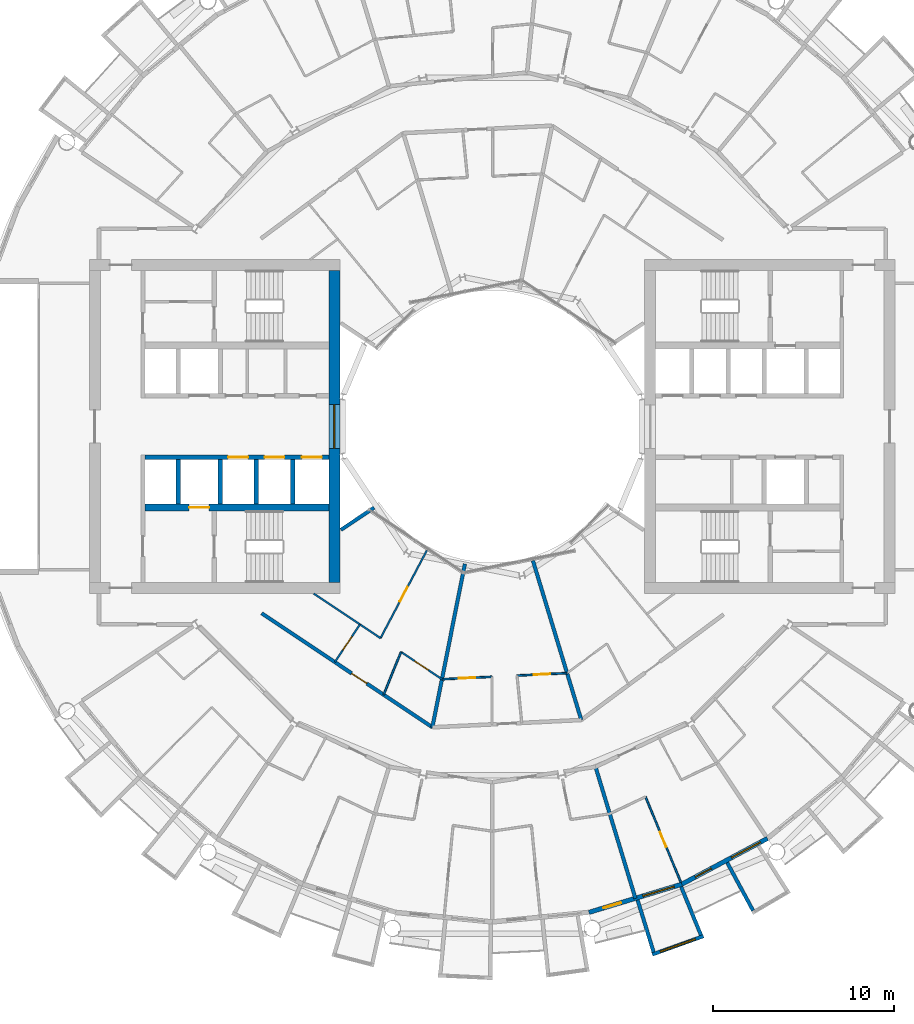
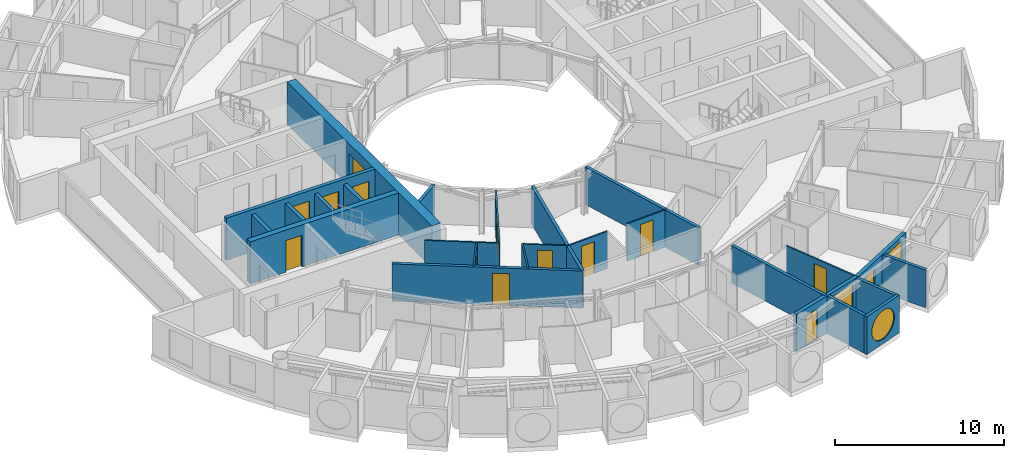
# One storey, part 16 of 27: 26 walls, 13 doors, 4 windows, 17 openings.
"""IFC4 building model written with IfcOpenShell, lengths in metres."""

from ifc_helpers import new_model, si_unit, direction, frame, frame_2d, origin, place, context, subcontext, project, spatial, rectangle, circle, extrude, material, layer, layer_set, type_object, element, fill, save


model = new_model("IFC4")

# Units and contexts
model_context = context("Model", 3, precision=1e-05, world=origin(), true_north=direction((0.0, 1.0)))
body_context = subcontext(model_context, "Body", "Model", "MODEL_VIEW")
ifc_project = project(units=[si_unit("LENGTHUNIT", "METRE"), si_unit("AREAUNIT", "SQUARE_METRE"), si_unit("VOLUMEUNIT", "CUBIC_METRE"), si_unit("PLANEANGLEUNIT", "RADIAN"), si_unit("MASSUNIT", "GRAM", prefix="KILO")], contexts=[model_context])

# Site, building, storey
site_placement = place(None, origin())
site = spatial("IfcSite", under=ifc_project, at=site_placement, CompositionType="ELEMENT")
building_placement = place(site_placement, origin())
building = spatial("IfcBuilding", under=site, at=building_placement, Name="Maasbend Ring Residences", CompositionType="ELEMENT")
storey_placement = place(building_placement, frame((0.0, 0.0, 126.89990234375)))
storey = spatial("IfcBuildingStorey", under=building, at=storey_placement, Name="L36", CompositionType="ELEMENT", Elevation=126.89990234375)

# Wall, openings, doors
ifc_material_1 = material(Name="Concrete C60/75", Category="concrete")
ifc_layer_1 = layer(ifc_material_1, 0.25)
ifc_layer_set_1 = layer_set([ifc_layer_1], Name="Concrete C60/75")
wall_type_1 = type_object("IfcWallType", Name="CORE WALL 250 C60/75", PredefinedType="SHEAR", material=ifc_layer_set_1)
wall_1_placement = place(storey_placement, frame((-9.0, -1.699951171875, 0.0), z_axis=(0.0, 0.0, 1.0), x_axis=(-1.0, 0.0, 0.0)))
wall_1 = element("IfcWall", 1, at=wall_1_placement, inside=storey, type_object=wall_type_1, Name="L36 core W wall SPN", PredefinedType="SHEAR", context=body_context, shape_type="SweptSolid", body=[
    extrude(rectangle(XDim=10.14990234375, YDim=0.25, at=frame_2d((5.074951171875, 0.0))), origin(), (0.0, 0.0, 1.0), 3.050048828125),
])
opening_1_placement = place(wall_1_placement, frame((0.387451171875, 0.0, 0.0)))
opening_1 = element("IfcOpeningElement", 2, at=opening_1_placement, cuts=wall_1, Name="Opening LD-W3601", PredefinedType="OPENING", context=body_context, shape_type="SweptSolid", body=[
    extrude(rectangle(XDim=1.10009765625, YDim=2.300048828125, at=frame_2d((0.550048828125, 1.14990234375))), frame((0.0, 0.135009765625, 0.0), z_axis=(0.0, -1.0, 0.0), x_axis=(1.0, 0.0, 0.0)), (0.0, 0.0, 1.0), 0.27001953125),
])
opening_2_placement = place(wall_1_placement, frame((2.449951171875, 0.0, 0.0)))
opening_2 = element("IfcOpeningElement", 3, at=opening_2_placement, cuts=wall_1, Name="Opening LD-W3602", PredefinedType="OPENING", context=body_context, shape_type="SweptSolid", body=[
    extrude(rectangle(XDim=1.10009765625, YDim=2.300048828125, at=frame_2d((0.550048828125, 1.14990234375))), frame((0.0, 0.135009765625, 0.0), z_axis=(0.0, -1.0, 0.0), x_axis=(1.0, 0.0, 0.0)), (0.0, 0.0, 1.0), 0.27001953125),
])
opening_3_placement = place(wall_1_placement, frame((4.449951171875, 0.0, 0.0)))
opening_3 = element("IfcOpeningElement", 4, at=opening_3_placement, cuts=wall_1, Name="Opening LD-W3603", PredefinedType="OPENING", context=body_context, shape_type="SweptSolid", body=[
    extrude(rectangle(XDim=1.10009765625, YDim=2.300048828125, at=frame_2d((0.550048828125, 1.14990234375))), frame((0.0, 0.135009765625, 0.0), z_axis=(0.0, -1.0, 0.0), x_axis=(1.0, 0.0, 0.0)), (0.0, 0.0, 1.0), 0.27001953125),
])
ifc_material_2 = material(Name="Stainless steel 316", Category="steel")
door_type_1 = type_object("IfcDoorType", Name="LANDING DOOR 1100 X 2300 FD60", OperationType="DOUBLE_DOOR_SLIDING", PredefinedType="DOOR", material=ifc_material_2)
door_1_placement = place(opening_1_placement, origin())
door_1 = element("IfcDoor", 5, at=door_1_placement, inside=storey, type_object=door_type_1, Name="Landing door LR-W1 L36", OperationType="DOUBLE_DOOR_SLIDING", OverallHeight=2.300048828125, OverallWidth=1.10009765625, PredefinedType="DOOR", context=body_context, shape_type="SweptSolid", body=[
    extrude(rectangle(XDim=1.10009765625, YDim=2.300048828125, at=frame_2d((0.550048828125, 1.14990234375))), frame((0.0, 0.02490234375, 0.0), z_axis=(0.0, -1.0, 0.0), x_axis=(1.0, 0.0, 0.0)), (0.0, 0.0, 1.0), 0.050048828125),
])
fill(opening_1, door_1)
door_2_placement = place(opening_2_placement, origin())
door_2 = element("IfcDoor", 6, at=door_2_placement, inside=storey, type_object=door_type_1, Name="Landing door LR-W2 L36", OperationType="DOUBLE_DOOR_SLIDING", OverallHeight=2.300048828125, OverallWidth=1.10009765625, PredefinedType="DOOR", context=body_context, shape_type="SweptSolid", body=[
    extrude(rectangle(XDim=1.10009765625, YDim=2.300048828125, at=frame_2d((0.550048828125, 1.14990234375))), frame((0.0, 0.02490234375, 0.0), z_axis=(0.0, -1.0, 0.0), x_axis=(1.0, 0.0, 0.0)), (0.0, 0.0, 1.0), 0.050048828125),
])
fill(opening_2, door_2)
door_3_placement = place(opening_3_placement, origin())
door_3 = element("IfcDoor", 7, at=door_3_placement, inside=storey, type_object=door_type_1, Name="Landing door LR-W3 L36", OperationType="DOUBLE_DOOR_SLIDING", OverallHeight=2.300048828125, OverallWidth=1.10009765625, PredefinedType="DOOR", context=body_context, shape_type="SweptSolid", body=[
    extrude(rectangle(XDim=1.10009765625, YDim=2.300048828125, at=frame_2d((0.550048828125, 1.14990234375))), frame((0.0, 0.02490234375, 0.0), z_axis=(0.0, -1.0, 0.0), x_axis=(1.0, 0.0, 0.0)), (0.0, 0.0, 1.0), 0.050048828125),
])
fill(opening_3, door_3)

# Wall, opening, door
ifc_material_3 = material(Name="Concrete C60/75", Category="concrete")
ifc_layer_2 = layer(ifc_material_3, 0.375)
ifc_layer_set_2 = layer_set([ifc_layer_2], Name="Concrete C60/75")
wall_type_2 = type_object("IfcWallType", Name="CORE WALL 375 C60/75", PredefinedType="SHEAR", material=ifc_layer_set_2)
wall_2_placement = place(storey_placement, frame((-9.0, -4.46240234375, 0.0), z_axis=(0.0, 0.0, 1.0), x_axis=(-1.0, 0.0, 0.0)))
wall_2 = element("IfcWall", 8, at=wall_2_placement, inside=storey, type_object=wall_type_2, Name="L36 core W wall BN", PredefinedType="SHEAR", context=body_context, shape_type="SweptSolid", body=[
    extrude(rectangle(XDim=10.14990234375, YDim=0.375, at=frame_2d((5.074951171875, 0.0))), origin(), (0.0, 0.0, 1.0), 3.050048828125),
])
opening_4_placement = place(wall_2_placement, frame((6.60009765625, 0.0, 0.0)))
opening_4 = element("IfcOpeningElement", 9, at=opening_4_placement, cuts=wall_2, Name="Opening LD-W3604", PredefinedType="OPENING", context=body_context, shape_type="SweptSolid", body=[
    extrude(rectangle(XDim=1.10009765625, YDim=2.300048828125, at=frame_2d((0.550048828125, 1.14990234375))), frame((0.0, 0.197509765625, 0.0), z_axis=(0.0, -1.0, 0.0), x_axis=(1.0, 0.0, 0.0)), (0.0, 0.0, 1.0), 0.39501953125),
])
door_4_placement = place(opening_4_placement, origin())
door_4 = element("IfcDoor", 10, at=door_4_placement, inside=storey, type_object=door_type_1, Name="Landing door FF-W L36", OperationType="DOUBLE_DOOR_SLIDING", OverallHeight=2.300048828125, OverallWidth=1.10009765625, PredefinedType="DOOR", context=body_context, shape_type="SweptSolid", body=[
    extrude(rectangle(XDim=1.10009765625, YDim=2.300048828125, at=frame_2d((0.550048828125, 1.14990234375))), frame((0.0, 0.02490234375, 0.0), z_axis=(0.0, -1.0, 0.0), x_axis=(1.0, 0.0, 0.0)), (0.0, 0.0, 1.0), 0.050048828125),
])
fill(opening_4, door_4)

# Wall, opening, window
ifc_material_4 = material(Name="Concrete C60/75", Category="concrete")
ifc_layer_3 = layer(ifc_material_4, 0.60009765625)
ifc_layer_set_3 = layer_set([ifc_layer_3], Name="Concrete C60/75")
wall_type_3 = type_object("IfcWallType", Name="CORE WALL 600 C60/75", PredefinedType="SHEAR", material=ifc_layer_set_3)
wall_3_placement = place(storey_placement, frame((-8.699951171875, 8.60009765625, 0.0), z_axis=(0.0, 0.0, 1.0), x_axis=(0.0, -1.0, 0.0)))
wall_3 = element("IfcWall", 11, at=wall_3_placement, inside=storey, type_object=wall_type_3, Name="L36 core W wall PIN", PredefinedType="SHEAR", context=body_context, shape_type="SweptSolid", body=[
    extrude(rectangle(XDim=17.2001953125, YDim=0.60009765625, at=frame_2d((8.60009765625, 0.0))), origin(), (0.0, 0.0, 1.0), 3.050048828125),
])
opening_5_placement = place(wall_3_placement, frame((7.39990234375, 0.0, 0.10009765625)))
opening_5 = element("IfcOpeningElement", 12, at=opening_5_placement, cuts=wall_3, Name="Opening W-W3601", PredefinedType="OPENING", context=body_context, shape_type="SweptSolid", body=[
    extrude(rectangle(XDim=2.39990234375, YDim=2.199951171875, at=frame_2d((1.199951171875, 1.10009765625))), frame((0.0, 0.31005859375, 0.0), z_axis=(0.0, -1.0, 0.0), x_axis=(1.0, 0.0, 0.0)), (0.0, 0.0, 1.0), 0.6201171875),
])
ifc_material_5 = material(Name="Aluminium frame and clear glass", Category="aluminium")
window_type_1 = type_object("IfcWindowType", Name="FIXED WINDOW 2400 X 2200", PartitioningType="SINGLE_PANEL", PredefinedType="WINDOW", material=ifc_material_5)
window_1_placement = place(opening_5_placement, origin())
window_1 = element("IfcWindow", 13, at=window_1_placement, inside=storey, type_object=window_type_1, Name="Lobby window L36", OverallHeight=2.199951171875, OverallWidth=2.39990234375, PartitioningType="SINGLE_PANEL", PredefinedType="WINDOW", context=body_context, shape_type="SweptSolid", body=[
    extrude(rectangle(XDim=2.39990234375, YDim=2.199951171875, at=frame_2d((1.199951171875, 1.10009765625))), frame((0.0, 0.030029296875, 0.0), z_axis=(0.0, -1.0, 0.0), x_axis=(1.0, 0.0, 0.0)), (0.0, 0.0, 1.0), 0.06005859375),
])
fill(opening_5, window_1)

# Wall, opening, door
ifc_material_6 = material(Name="Concrete C30/37", Category="concrete")
ifc_layer_4 = layer(ifc_material_6, 0.199951171875)
ifc_layer_set_4 = layer_set([ifc_layer_4], Name="Concrete C30/37")
wall_type_4 = type_object("IfcWallType", Name="CORRIDOR WALL 200 CONCRETE", PredefinedType="PARTITIONING", material=ifc_layer_set_4)
wall_4_placement = place(storey_placement, frame((-12.7060546875, -10.291015625, 0.0), z_axis=(0.0, 0.0, 1.0), x_axis=(0.831588572532, -0.555392155178, 0.0)))
wall_4 = element("IfcWall", 14, at=wall_4_placement, inside=storey, type_object=wall_type_4, Name="U-L36-w025", PredefinedType="PARTITIONING", context=body_context, shape_type="SweptSolid", body=[
    extrude(rectangle(XDim=11.314453125, YDim=0.199951171875, at=frame_2d((5.6572265625, 0.0))), origin(), (0.0, 0.0, 1.0), 2.7001953125),
])
opening_6_placement = place(wall_4_placement, frame((5.966064453125, 0.0, 0.0)))
opening_6 = element("IfcOpeningElement", 15, at=opening_6_placement, cuts=wall_4, Name="Opening D-3652", PredefinedType="OPENING", context=body_context, shape_type="SweptSolid", body=[
    extrude(rectangle(XDim=1.0, YDim=2.300048828125, at=frame_2d((0.5, 1.14990234375))), frame((0.0, 0.10986328125, 0.0), z_axis=(0.0, -1.0, 0.0), x_axis=(1.0, 0.0, 0.0)), (0.0, 0.0, 1.0), 0.219970703125),
])
ifc_material_7 = material(Name="Timber, fire-rated, painted", Category="wood")
door_type_2 = type_object("IfcDoorType", Name="FLAT ENTRANCE DOOR 1000 X 2300 FIRE-RATED", OperationType="NOTDEFINED", PredefinedType="DOOR", material=ifc_material_7)
door_5_placement = place(opening_6_placement, origin())
door_5 = element("IfcDoor", 16, at=door_5_placement, inside=storey, type_object=door_type_2, Name="D-3652", OperationType="SINGLE_SWING_RIGHT", OverallHeight=2.300048828125, OverallWidth=1.0, PredefinedType="DOOR", context=body_context, shape_type="SweptSolid", body=[
    extrude(rectangle(XDim=1.0, YDim=2.300048828125, at=frame_2d((0.5, 1.14990234375))), frame((0.0, 0.02490234375, 0.0), z_axis=(0.0, -1.0, 0.0), x_axis=(1.0, 0.0, 0.0)), (0.0, 0.0, 1.0), 0.050048828125),
])
fill(opening_6, door_5)

# Wall, opening, window
ifc_material_8 = material(Name="Pale anodised aluminium panel", Category="aluminium")
ifc_layer_5 = layer(ifc_material_8, 0.199951171875)
ifc_layer_set_5 = layer_set([ifc_layer_5], Name="EW-BOX")
wall_type_5 = type_object("IfcWallType", Name="EW-BOX", PredefinedType="SOLIDWALL", material=ifc_layer_set_5)
wall_5_placement = place(storey_placement, frame((8.820068359375, -29.093017578125, -0.02978515625), z_axis=(0.0, 0.0, 1.0), x_axis=(0.941461077774, 0.337121697664, 0.0)))
wall_5 = element("IfcWall", 17, at=wall_5_placement, inside=storey, type_object=wall_type_5, Name="Box front S14", PredefinedType="SOLIDWALL", context=body_context, shape_type="SweptSolid", body=[
    extrude(rectangle(XDim=2.9931640625, YDim=0.199951171875, at=frame_2d((1.49658203125, 0.0))), origin(), (0.0, 0.0, 1.0), 2.72998046875),
])
opening_7_placement = place(wall_5_placement, frame((0.45654296875, 0.0, 0.330078125)))
opening_7 = element("IfcOpeningElement", 18, at=opening_7_placement, cuts=wall_5, Name="Opening W-RD", PredefinedType="OPENING", context=body_context, shape_type="SweptSolid", body=[
    extrude(circle(Radius=1.0400390625, at=frame_2d((1.0400390625, 1.0400390625))), frame((0.0, 0.10986328125, 0.0), z_axis=(0.0, -1.0, 0.0), x_axis=(1.0, 0.0, 0.0)), (0.0, 0.0, 1.0), 0.219970703125),
])
ifc_material_9 = material(Name="Aluminium and clear glass", Category="aluminium")
window_type_2 = type_object("IfcWindowType", Name="W-RD", PartitioningType="SINGLE_PANEL", PredefinedType="WINDOW", material=ifc_material_9)
window_2_placement = place(opening_7_placement, origin())
window_2 = element("IfcWindow", 19, at=window_2_placement, inside=storey, type_object=window_type_2, Name="Round window S14", OverallHeight=2.080078125, OverallWidth=2.080078125, PartitioningType="SINGLE_PANEL", PredefinedType="WINDOW", context=body_context, shape_type="SweptSolid", body=[
    extrude(circle(Radius=1.0400390625, at=frame_2d((1.0400390625, 1.0400390625))), frame((0.0, 0.030029296875, 0.0), z_axis=(0.0, -1.0, 0.0), x_axis=(1.0, 0.0, 0.0)), (0.0, 0.0, 1.0), 0.06005859375),
])
fill(opening_7, window_2)

# Walls
wall_6_placement = place(storey_placement, frame((8.009033203125, -26.092041015625, -0.02978515625), z_axis=(0.0, 0.0, 1.0), x_axis=(0.293406695073, -0.955987715029, 0.0)))
element("IfcWall", 20, at=wall_6_placement, inside=storey, type_object=wall_type_5, Name="Box side wall S14 left", PredefinedType="SOLIDWALL", context=body_context, shape_type="SweptSolid", body=[
    extrude(rectangle(XDim=3.00634765625, YDim=0.199951171875, at=frame_2d((1.503173828125, 0.0))), origin(), (0.0, 0.0, 1.0), 2.72998046875),
])
wall_7_placement = place(storey_placement, frame((10.408935546875, -25.364013671875, -0.02978515625), z_axis=(0.0, 0.0, 1.0), x_axis=(0.379509886562, -0.925187681501, 0.0)))
element("IfcWall", 21, at=wall_7_placement, inside=storey, type_object=wall_type_5, Name="Box side wall S14 right", PredefinedType="SOLIDWALL", context=body_context, shape_type="SweptSolid", body=[
    extrude(rectangle(XDim=2.882568359375, YDim=0.199951171875, at=frame_2d((1.44140625, 0.0))), origin(), (0.0, 0.0, 1.0), 2.72998046875),
])
wall_8_placement = place(storey_placement, frame((12.945068359375, -24.029052734375, -0.02978515625), z_axis=(0.0, 0.0, 1.0), x_axis=(0.474424310775, -0.88029629861, 0.0)))
element("IfcWall", 22, at=wall_8_placement, inside=storey, type_object=wall_type_5, Name="Box side wall S16 left", PredefinedType="SOLIDWALL", context=body_context, shape_type="SweptSolid", body=[
    extrude(rectangle(XDim=3.005859375, YDim=0.199951171875, at=frame_2d((1.5029296875, 0.0))), origin(), (0.0, 0.0, 1.0), 2.72998046875),
])

# Wall, openings, door, window
ifc_material_10 = material(Name="Aluminium clad insulated panel", Category="aluminium")
ifc_layer_6 = layer(ifc_material_10, 0.25)
ifc_layer_set_6 = layer_set([ifc_layer_6], Name="EW-GL")
wall_type_6 = type_object("IfcWallType", Name="EW-GL", PredefinedType="SOLIDWALL", material=ifc_layer_set_6)
wall_9_placement = place(storey_placement, frame((5.325927734375, -26.77490234375, 0.0), z_axis=(0.0, 0.0, 1.0), x_axis=(0.956965678721, 0.290201119486, 0.0)))
wall_9 = element("IfcWall", 23, at=wall_9_placement, inside=storey, type_object=wall_type_6, Name="External wall S07", PredefinedType="SOLIDWALL", context=body_context, shape_type="SweptSolid", body=[
    extrude(rectangle(XDim=5.351318359375, YDim=0.25, at=frame_2d((2.67578125, 0.0))), origin(), (0.0, 0.0, 1.0), 2.7001953125),
])
opening_8_placement = place(wall_9_placement, frame((0.841064453125, 0.0, 0.0)))
opening_8 = element("IfcOpeningElement", 24, at=opening_8_placement, cuts=wall_9, Name="Opening D-LG", PredefinedType="OPENING", context=body_context, shape_type="SweptSolid", body=[
    extrude(rectangle(XDim=1.0, YDim=2.199951171875, at=frame_2d((0.5, 1.10009765625))), frame((0.0, 0.135009765625, 0.0), z_axis=(0.0, -1.0, 0.0), x_axis=(1.0, 0.0, 0.0)), (0.0, 0.0, 1.0), 0.27001953125),
])
opening_9_placement = place(wall_9_placement, frame((3.110595703125, 0.0, 0.300048828125)))
opening_9 = element("IfcOpeningElement", 25, at=opening_9_placement, cuts=wall_9, Name="Opening W-BX", PredefinedType="OPENING", context=body_context, shape_type="SweptSolid", body=[
    extrude(rectangle(XDim=1.800048828125, YDim=2.10009765625, at=frame_2d((0.89990234375, 1.050048828125))), frame((0.0, 0.135009765625, 0.0), z_axis=(0.0, -1.0, 0.0), x_axis=(1.0, 0.0, 0.0)), (0.0, 0.0, 1.0), 0.27001953125),
])
ifc_material_11 = material(Name="Aluminium and clear glass", Category="aluminium")
door_type_3 = type_object("IfcDoorType", Name="D-LG", OperationType="SINGLE_SWING_LEFT", PredefinedType="DOOR", material=ifc_material_11)
door_6_placement = place(opening_8_placement, origin())
door_6 = element("IfcDoor", 26, at=door_6_placement, inside=storey, type_object=door_type_3, Name="Loggia door S13", OperationType="SINGLE_SWING_LEFT", OverallHeight=2.199951171875, OverallWidth=1.0, PredefinedType="DOOR", context=body_context, shape_type="SweptSolid", body=[
    extrude(rectangle(XDim=1.0, YDim=2.199951171875, at=frame_2d((0.5, 1.10009765625))), frame((0.0, 0.02490234375, 0.0), z_axis=(0.0, -1.0, 0.0), x_axis=(1.0, 0.0, 0.0)), (0.0, 0.0, 1.0), 0.050048828125),
])
fill(opening_8, door_6)
ifc_material_12 = material(Name="Aluminium and clear glass", Category="aluminium")
window_type_3 = type_object("IfcWindowType", Name="W-BX", PartitioningType="DOUBLE_PANEL_VERTICAL", PredefinedType="WINDOW", material=ifc_material_12)
window_3_placement = place(opening_9_placement, origin())
window_3 = element("IfcWindow", 27, at=window_3_placement, inside=storey, type_object=window_type_3, Name="Window S14 room to box", OverallHeight=2.10009765625, OverallWidth=1.800048828125, PartitioningType="SINGLE_PANEL", PredefinedType="WINDOW", context=body_context, shape_type="SweptSolid", body=[
    extrude(rectangle(XDim=1.800048828125, YDim=2.10009765625, at=frame_2d((0.89990234375, 1.050048828125))), frame((0.0, 0.030029296875, 0.0), z_axis=(0.0, -1.0, 0.0), x_axis=(1.0, 0.0, 0.0)), (0.0, 0.0, 1.0), 0.06005859375),
])
fill(opening_9, window_3)

wall_10_placement = place(storey_placement, frame((10.447021484375, -25.221923828125, 0.0), z_axis=(0.0, 0.0, 1.0), x_axis=(0.881915646801, 0.471407246368, 0.0)))
wall_10 = element("IfcWall", 28, at=wall_10_placement, inside=storey, type_object=wall_type_6, Name="External wall S08", PredefinedType="SOLIDWALL", context=body_context, shape_type="SweptSolid", body=[
    extrude(rectangle(XDim=5.35205078125, YDim=0.25, at=frame_2d((2.676025390625, 0.0))), origin(), (0.0, 0.0, 1.0), 2.7001953125),
])
opening_10_placement = place(wall_10_placement, frame((0.841064453125, 0.0, 0.0)))
opening_10 = element("IfcOpeningElement", 29, at=opening_10_placement, cuts=wall_10, Name="Opening D-LG", PredefinedType="OPENING", context=body_context, shape_type="SweptSolid", body=[
    extrude(rectangle(XDim=1.0, YDim=2.199951171875, at=frame_2d((0.5, 1.10009765625))), frame((0.0, 0.135009765625, 0.0), z_axis=(0.0, -1.0, 0.0), x_axis=(1.0, 0.0, 0.0)), (0.0, 0.0, 1.0), 0.27001953125),
])
opening_11_placement = place(wall_10_placement, frame((3.110595703125, 0.0, 0.300048828125)))
opening_11 = element("IfcOpeningElement", 30, at=opening_11_placement, cuts=wall_10, Name="Opening W-BX", PredefinedType="OPENING", context=body_context, shape_type="SweptSolid", body=[
    extrude(rectangle(XDim=1.800048828125, YDim=2.10009765625, at=frame_2d((0.89990234375, 1.050048828125))), frame((0.0, 0.135009765625, 0.0), z_axis=(0.0, -1.0, 0.0), x_axis=(1.0, 0.0, 0.0)), (0.0, 0.0, 1.0), 0.27001953125),
])
door_7_placement = place(opening_10_placement, origin())
door_7 = element("IfcDoor", 31, at=door_7_placement, inside=storey, type_object=door_type_3, Name="Loggia door S15", OperationType="SINGLE_SWING_LEFT", OverallHeight=2.199951171875, OverallWidth=1.0, PredefinedType="DOOR", context=body_context, shape_type="SweptSolid", body=[
    extrude(rectangle(XDim=1.0, YDim=2.199951171875, at=frame_2d((0.5, 1.10009765625))), frame((0.0, 0.02490234375, 0.0), z_axis=(0.0, -1.0, 0.0), x_axis=(1.0, 0.0, 0.0)), (0.0, 0.0, 1.0), 0.050048828125),
])
fill(opening_10, door_7)
window_4_placement = place(opening_11_placement, origin())
window_4 = element("IfcWindow", 32, at=window_4_placement, inside=storey, type_object=window_type_3, Name="Window S16 room to box", OverallHeight=2.10009765625, OverallWidth=1.800048828125, PartitioningType="SINGLE_PANEL", PredefinedType="WINDOW", context=body_context, shape_type="SweptSolid", body=[
    extrude(rectangle(XDim=1.800048828125, YDim=2.10009765625, at=frame_2d((0.89990234375, 1.050048828125))), frame((0.0, 0.030029296875, 0.0), z_axis=(0.0, -1.0, 0.0), x_axis=(1.0, 0.0, 0.0)), (0.0, 0.0, 1.0), 0.06005859375),
])
fill(opening_11, window_4)

# Wall, opening, door
ifc_material_13 = material(Name="Gypsum board on steel studs", Category="steel")
ifc_layer_7 = layer(ifc_material_13, 0.10009765625)
ifc_layer_set_7 = layer_set([ifc_layer_7], Name="PARTITION 100 GYPSUM")
wall_type_7 = type_object("IfcWallType", Name="PARTITION 100 GYPSUM", PredefinedType="PARTITIONING", material=ifc_layer_set_7)
wall_11_placement = place(storey_placement, frame((-2.77197265625, -13.927001953125, 0.0), z_axis=(0.0, 0.0, 1.0), x_axis=(0.998787571158, 0.04922791586, 0.0)))
wall_11 = element("IfcWall", 33, at=wall_11_placement, inside=storey, type_object=wall_type_7, Name="U-L36-w026", PredefinedType="PARTITIONING", context=body_context, shape_type="SweptSolid", body=[
    extrude(rectangle(XDim=2.762451171875, YDim=0.10009765625, at=frame_2d((1.38134765625, 0.0))), origin(), (0.0, 0.0, 1.0), 2.7001953125),
])
opening_12_placement = place(wall_11_placement, frame((0.93310546875, 0.0, 0.0)))
opening_12 = element("IfcOpeningElement", 34, at=opening_12_placement, cuts=wall_11, Name="Opening D-3658", PredefinedType="OPENING", context=body_context, shape_type="SweptSolid", body=[
    extrude(rectangle(XDim=0.89990234375, YDim=2.300048828125, at=frame_2d((0.449951171875, 1.14990234375))), frame((0.0, 0.06005859375, 0.0), z_axis=(0.0, -1.0, 0.0), x_axis=(1.0, 0.0, 0.0)), (0.0, 0.0, 1.0), 0.1201171875),
])
ifc_material_14 = material(Name="Timber, painted", Category="wood")
door_type_4 = type_object("IfcDoorType", Name="INTERNAL DOOR 900 X 2300", OperationType="NOTDEFINED", PredefinedType="DOOR", material=ifc_material_14)
door_8_placement = place(opening_12_placement, origin())
door_8 = element("IfcDoor", 35, at=door_8_placement, inside=storey, type_object=door_type_4, Name="D-3658", OperationType="SINGLE_SWING_RIGHT", OverallHeight=2.300048828125, OverallWidth=0.89990234375, PredefinedType="DOOR", context=body_context, shape_type="SweptSolid", body=[
    extrude(rectangle(XDim=0.89990234375, YDim=2.300048828125, at=frame_2d((0.449951171875, 1.14990234375))), frame((0.0, 0.02490234375, 0.0), z_axis=(0.0, -1.0, 0.0), x_axis=(1.0, 0.0, 0.0)), (0.0, 0.0, 1.0), 0.050048828125),
])
fill(opening_12, door_8)

wall_12_placement = place(storey_placement, frame((1.364990234375, -13.72412109375, 0.0), z_axis=(0.0, 0.0, 1.0), x_axis=(0.99880320044, 0.048909782152, 0.0)))
wall_12 = element("IfcWall", 36, at=wall_12_placement, inside=storey, type_object=wall_type_7, Name="U-L36-w027", PredefinedType="PARTITIONING", context=body_context, shape_type="SweptSolid", body=[
    extrude(rectangle(XDim=2.760498046875, YDim=0.10009765625, at=frame_2d((1.38037109375, 0.0))), origin(), (0.0, 0.0, 1.0), 2.7001953125),
])
opening_13_placement = place(wall_12_placement, frame((0.929931640625, 0.0, 0.0)))
opening_13 = element("IfcOpeningElement", 37, at=opening_13_placement, cuts=wall_12, Name="Opening D-3657", PredefinedType="OPENING", context=body_context, shape_type="SweptSolid", body=[
    extrude(rectangle(XDim=0.89990234375, YDim=2.300048828125, at=frame_2d((0.449951171875, 1.14990234375))), frame((0.0, 0.06005859375, 0.0), z_axis=(0.0, -1.0, 0.0), x_axis=(1.0, 0.0, 0.0)), (0.0, 0.0, 1.0), 0.1201171875),
])
door_9_placement = place(opening_13_placement, origin())
door_9 = element("IfcDoor", 38, at=door_9_placement, inside=storey, type_object=door_type_4, Name="D-3657", OperationType="SINGLE_SWING_RIGHT", OverallHeight=2.300048828125, OverallWidth=0.89990234375, PredefinedType="DOOR", context=body_context, shape_type="SweptSolid", body=[
    extrude(rectangle(XDim=0.89990234375, YDim=2.300048828125, at=frame_2d((0.449951171875, 1.14990234375))), frame((0.0, 0.02490234375, 0.0), z_axis=(0.0, -1.0, 0.0), x_axis=(1.0, 0.0, 0.0)), (0.0, 0.0, 1.0), 0.050048828125),
])
fill(opening_13, door_9)

# Wall
wall_13_placement = place(storey_placement, frame((-9.843994140625, -9.201904296875, 0.0), z_axis=(0.0, 0.0, 1.0), x_axis=(0.831617979783, -0.555348121183, 0.0)))
element("IfcWall", 39, at=wall_13_placement, inside=storey, type_object=wall_type_7, Name="U-L36-w030", PredefinedType="PARTITIONING", context=body_context, shape_type="SweptSolid", body=[
    extrude(rectangle(XDim=4.43359375, YDim=0.10009765625, at=frame_2d((2.216796875, 0.0))), origin(), (0.0, 0.0, 1.0), 2.7001953125),
])

# Wall, opening, door
wall_14_placement = place(storey_placement, frame((-5.029052734375, -12.41796875, 0.0), z_axis=(0.0, 0.0, 1.0), x_axis=(0.831538390496, -0.555467285384, 0.0)))
wall_14 = element("IfcWall", 40, at=wall_14_placement, inside=storey, type_object=wall_type_7, Name="U-L36-w031", PredefinedType="PARTITIONING", context=body_context, shape_type="SweptSolid", body=[
    extrude(rectangle(XDim=2.716796875, YDim=0.10009765625, at=frame_2d((1.3583984375, 0.0))), origin(), (0.0, 0.0, 1.0), 2.7001953125),
])
opening_14_placement = place(wall_14_placement, frame((0.907958984375, 0.0, 0.0)))
opening_14 = element("IfcOpeningElement", 41, at=opening_14_placement, cuts=wall_14, Name="Opening D-3653", PredefinedType="OPENING", context=body_context, shape_type="SweptSolid", body=[
    extrude(rectangle(XDim=0.89990234375, YDim=2.300048828125, at=frame_2d((0.449951171875, 1.14990234375))), frame((0.0, 0.06005859375, 0.0), z_axis=(0.0, -1.0, 0.0), x_axis=(1.0, 0.0, 0.0)), (0.0, 0.0, 1.0), 0.1201171875),
])
door_10_placement = place(opening_14_placement, origin())
door_10 = element("IfcDoor", 42, at=door_10_placement, inside=storey, type_object=door_type_4, Name="D-3653", OperationType="SINGLE_SWING_LEFT", OverallHeight=2.300048828125, OverallWidth=0.89990234375, PredefinedType="DOOR", context=body_context, shape_type="SweptSolid", body=[
    extrude(rectangle(XDim=0.89990234375, YDim=2.300048828125, at=frame_2d((0.449951171875, 1.14990234375))), frame((0.0, 0.02490234375, 0.0), z_axis=(0.0, -1.0, 0.0), x_axis=(1.0, 0.0, 0.0)), (0.0, 0.0, 1.0), 0.050048828125),
])
fill(opening_14, door_10)

wall_15_placement = place(storey_placement, frame((-8.675048828125, -12.98193359375, 0.0), z_axis=(0.0, 0.0, 1.0), x_axis=(0.555625883274, 0.831432425297, 0.0)))
wall_15 = element("IfcWall", 43, at=wall_15_placement, inside=storey, type_object=wall_type_7, Name="U-L36-w053", PredefinedType="PARTITIONING", context=body_context, shape_type="SweptSolid", body=[
    extrude(rectangle(XDim=2.494384765625, YDim=0.10009765625, at=frame_2d((1.2470703125, 0.0))), origin(), (0.0, 0.0, 1.0), 2.7001953125),
])
opening_15_placement = place(wall_15_placement, frame((0.798095703125, 0.0, 0.0)))
opening_15 = element("IfcOpeningElement", 44, at=opening_15_placement, cuts=wall_15, Name="Opening D-3654", PredefinedType="OPENING", context=body_context, shape_type="SweptSolid", body=[
    extrude(rectangle(XDim=0.89990234375, YDim=2.300048828125, at=frame_2d((0.449951171875, 1.14990234375))), frame((0.0, 0.06005859375, 0.0), z_axis=(0.0, -1.0, 0.0), x_axis=(1.0, 0.0, 0.0)), (0.0, 0.0, 1.0), 0.1201171875),
])
door_11_placement = place(opening_15_placement, origin())
door_11 = element("IfcDoor", 45, at=door_11_placement, inside=storey, type_object=door_type_4, Name="D-3654", OperationType="SINGLE_SWING_RIGHT", OverallHeight=2.300048828125, OverallWidth=0.89990234375, PredefinedType="DOOR", context=body_context, shape_type="SweptSolid", body=[
    extrude(rectangle(XDim=0.89990234375, YDim=2.300048828125, at=frame_2d((0.449951171875, 1.14990234375))), frame((0.0, 0.02490234375, 0.0), z_axis=(0.0, -1.0, 0.0), x_axis=(1.0, 0.0, 0.0)), (0.0, 0.0, 1.0), 0.050048828125),
])
fill(opening_15, door_11)

wall_16_placement = place(storey_placement, frame((-6.158935546875, -11.6630859375, 0.0), z_axis=(0.0, 0.0, 1.0), x_axis=(0.466976820365, 0.884269556889, 0.0)))
wall_16 = element("IfcWall", 46, at=wall_16_placement, inside=storey, type_object=wall_type_7, Name="U-L36-w056", PredefinedType="PARTITIONING", context=body_context, shape_type="SweptSolid", body=[
    extrude(rectangle(XDim=5.46923828125, YDim=0.10009765625, at=frame_2d((2.734619140625, 0.0))), origin(), (0.0, 0.0, 1.0), 2.7001953125),
])
opening_16_placement = place(wall_16_placement, frame((2.283935546875, 0.0, 0.0)))
opening_16 = element("IfcOpeningElement", 47, at=opening_16_placement, cuts=wall_16, Name="Opening D-3655", PredefinedType="OPENING", context=body_context, shape_type="SweptSolid", body=[
    extrude(rectangle(XDim=0.89990234375, YDim=2.300048828125, at=frame_2d((0.449951171875, 1.14990234375))), frame((0.0, 0.06005859375, 0.0), z_axis=(0.0, -1.0, 0.0), x_axis=(1.0, 0.0, 0.0)), (0.0, 0.0, 1.0), 0.1201171875),
])
door_12_placement = place(opening_16_placement, origin())
door_12 = element("IfcDoor", 48, at=door_12_placement, inside=storey, type_object=door_type_4, Name="D-3655", OperationType="SINGLE_SWING_LEFT", OverallHeight=2.300048828125, OverallWidth=0.89990234375, PredefinedType="DOOR", context=body_context, shape_type="SweptSolid", body=[
    extrude(rectangle(XDim=0.89990234375, YDim=2.300048828125, at=frame_2d((0.449951171875, 1.14990234375))), frame((0.0, 0.02490234375, 0.0), z_axis=(0.0, -1.0, 0.0), x_axis=(1.0, 0.0, 0.0)), (0.0, 0.0, 1.0), 0.050048828125),
])
fill(opening_16, door_12)

# Wall
wall_17_placement = place(storey_placement, frame((-5.986083984375, -14.779052734375, 0.0), z_axis=(0.0, 0.0, 1.0), x_axis=(0.375649498413, 0.926761811008, 0.0)))
element("IfcWall", 49, at=wall_17_placement, inside=storey, type_object=wall_type_7, Name="U-L36-w057", PredefinedType="PARTITIONING", context=body_context, shape_type="SweptSolid", body=[
    extrude(rectangle(XDim=2.547607421875, YDim=0.10009765625, at=frame_2d((1.27392578125, 0.0))), origin(), (0.0, 0.0, 1.0), 2.7001953125),
])

# Wall, opening, door
wall_18_placement = place(storey_placement, frame((8.445068359375, -20.406982421875, 0.0), z_axis=(0.0, 0.0, 1.0), x_axis=(0.382339082848, -0.92402209158, 0.0)))
wall_18 = element("IfcWall", 50, at=wall_18_placement, inside=storey, type_object=wall_type_7, Name="U-L36-w083", PredefinedType="PARTITIONING", context=body_context, shape_type="SweptSolid", body=[
    extrude(rectangle(XDim=5.08984375, YDim=0.10009765625, at=frame_2d((2.544921875, 0.0))), origin(), (0.0, 0.0, 1.0), 2.7001953125),
])
opening_17_placement = place(wall_18_placement, frame((2.094970703125, 0.0, 0.0)))
opening_17 = element("IfcOpeningElement", 51, at=opening_17_placement, cuts=wall_18, Name="Opening D-3647", PredefinedType="OPENING", context=body_context, shape_type="SweptSolid", body=[
    extrude(rectangle(XDim=0.89990234375, YDim=2.300048828125, at=frame_2d((0.449951171875, 1.14990234375))), frame((0.0, 0.06005859375, 0.0), z_axis=(0.0, -1.0, 0.0), x_axis=(1.0, 0.0, 0.0)), (0.0, 0.0, 1.0), 0.1201171875),
])
door_13_placement = place(opening_17_placement, origin())
door_13 = element("IfcDoor", 52, at=door_13_placement, inside=storey, type_object=door_type_4, Name="D-3647", OperationType="SINGLE_SWING_LEFT", OverallHeight=2.300048828125, OverallWidth=0.89990234375, PredefinedType="DOOR", context=body_context, shape_type="SweptSolid", body=[
    extrude(rectangle(XDim=0.89990234375, YDim=2.300048828125, at=frame_2d((0.449951171875, 1.14990234375))), frame((0.0, 0.02490234375, 0.0), z_axis=(0.0, -1.0, 0.0), x_axis=(1.0, 0.0, 0.0)), (0.0, 0.0, 1.0), 0.050048828125),
])
fill(opening_17, door_13)

# Walls
ifc_material_15 = material(Name="Concrete C30/37", Category="concrete")
ifc_layer_8 = layer(ifc_material_15, 0.199951171875)
ifc_layer_set_8 = layer_set([ifc_layer_8], Name="Concrete C30/37")
wall_type_8 = type_object("IfcWallType", Name="PARTY WALL 200 CONCRETE", PredefinedType="PARTITIONING", material=ifc_layer_set_8)
wall_19_placement = place(storey_placement, frame((-6.512939453125, -4.471923828125, 0.0), z_axis=(0.0, 0.0, 1.0), x_axis=(-0.831333375071, -0.555774072347, 0.0)))
element("IfcWall", 53, at=wall_19_placement, inside=storey, type_object=wall_type_8, Name="U-L36-w034", PredefinedType="PARTITIONING", context=body_context, shape_type="SweptSolid", body=[
    extrude(rectangle(XDim=2.20263671875, YDim=0.199951171875, at=frame_2d((1.101318359375, 0.0))), origin(), (0.0, 0.0, 1.0), 2.7001953125),
])
wall_20_placement = place(storey_placement, frame((-3.302001953125, -16.573974609375, 0.0), z_axis=(0.0, 0.0, 1.0), x_axis=(0.195543237077, 0.980695081273, 0.0)))
element("IfcWall", 54, at=wall_20_placement, inside=storey, type_object=wall_type_8, Name="U-L36-w060", PredefinedType="PARTITIONING", context=body_context, shape_type="SweptSolid", body=[
    extrude(rectangle(XDim=9.17919921875, YDim=0.199951171875, at=frame_2d((4.589599609375, 0.0))), origin(), (0.0, 0.0, 1.0), 2.7001953125),
])
wall_21_placement = place(storey_placement, frame((2.239990234375, -7.387939453125, 0.0), z_axis=(0.0, 0.0, 1.0), x_axis=(0.290420725025, -0.956899055531, 0.0)))
element("IfcWall", 55, at=wall_21_placement, inside=storey, type_object=wall_type_8, Name="U-L36-w072", PredefinedType="PARTITIONING", context=body_context, shape_type="SweptSolid", body=[
    extrude(rectangle(XDim=9.179931640625, YDim=0.199951171875, at=frame_2d((4.58984375, 0.0))), origin(), (0.0, 0.0, 1.0), 2.7001953125),
])
wall_22_placement = place(storey_placement, frame((5.68994140625, -18.756103515625, 0.0), z_axis=(0.0, 0.0, 1.0), x_axis=(0.290448401467, -0.95689065524, 0.0)))
element("IfcWall", 56, at=wall_22_placement, inside=storey, type_object=wall_type_8, Name="U-L36-w078", PredefinedType="PARTITIONING", context=body_context, shape_type="SweptSolid", body=[
    extrude(rectangle(XDim=7.57421875, YDim=0.199951171875, at=frame_2d((3.787109375, 0.0))), origin(), (0.0, 0.0, 1.0), 2.7001953125),
])
ifc_material_16 = material(Name="Concrete C30/37", Category="concrete")
ifc_layer_9 = layer(ifc_material_16, 0.25)
ifc_layer_set_9 = layer_set([ifc_layer_9], Name="Concrete C30/37")
wall_type_9 = type_object("IfcWallType", Name="SHAFT WALL 250 EI 120", PredefinedType="SOLIDWALL", material=ifc_layer_set_9)
for number, where, z_axis, x_axis, name in (
    (57, (-15.0, -1.824951171875, 0.0), (0.0, 0.0, 1.0), (0.0, -1.0, 0.0), "L36 core W wall D150N"),
    (58, (-17.300048828125, -1.824951171875, 0.0), (0.0, 0.0, 1.0), (0.0, -1.0, 0.0), "L36 core W wall D173N"),
    (59, (-11.0, -1.824951171875, 0.0), (0.0, 0.0, 1.0), (0.0, -1.0, 0.0), "L36 core W wall D110N"),
    (60, (-13.0, -1.824951171875, 0.0), (0.0, 0.0, 1.0), (0.0, -1.0, 0.0), "L36 core W wall D130N"),
):
    element("IfcWall", number, at=place(storey_placement, frame(where, z_axis=z_axis, x_axis=x_axis)), inside=storey, type_object=wall_type_9, Name=name, PredefinedType="SOLIDWALL", context=body_context, shape_type="SweptSolid", body=[
        extrude(rectangle(XDim=2.449951171875, YDim=0.25, at=frame_2d((1.22509765625, 0.0))), origin(), (0.0, 0.0, 1.0), 2.7001953125),
    ])

save(model, "model.ifc")
